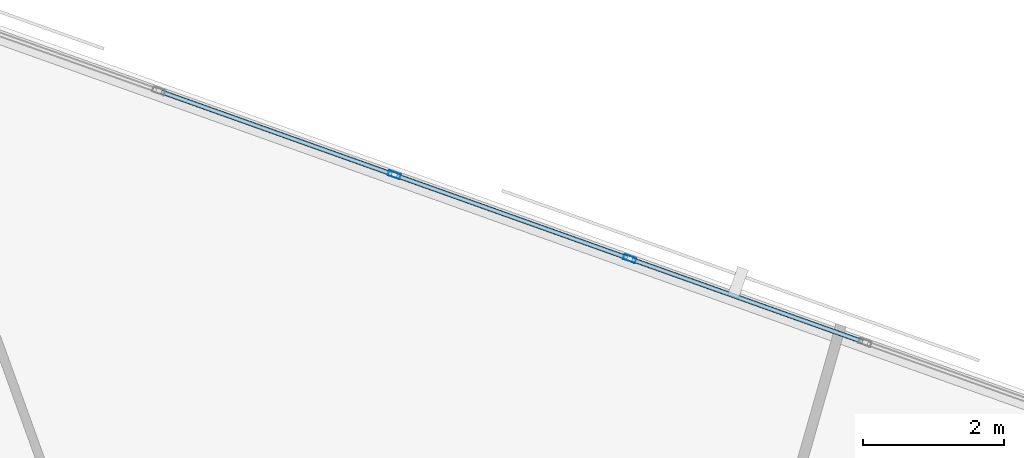
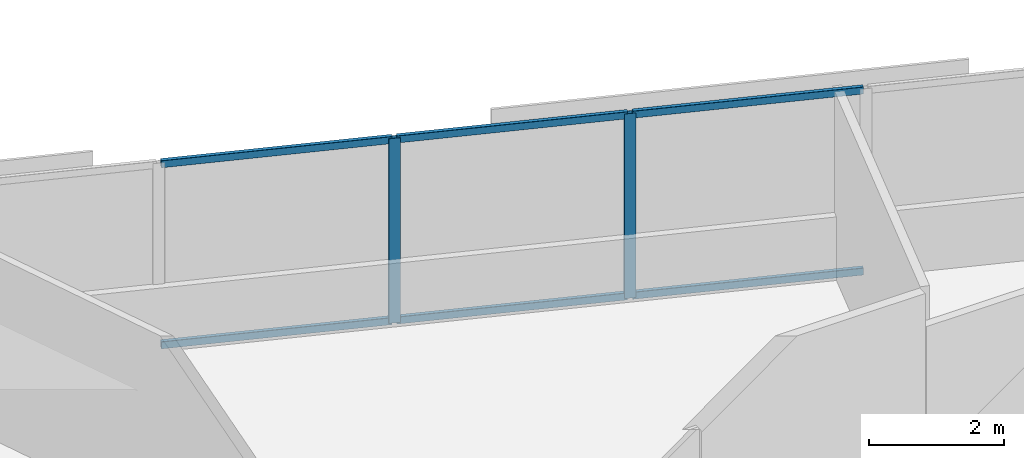
# One storey, part 8 of 15: 8 members, 1 element without a shape of its own.
"""IFC4 building model written with IfcOpenShell, lengths in metres."""

from ifc_helpers import new_model, si_unit, direction, frame, origin, origin_2d, place, context, subcontext, project, spatial, hollow_rectangle, extrude, material, material_profile, profile_set, type_object, element, aggregate, save


model = new_model("IFC4")

# Units and contexts
model_context = context("Model", 3, precision=1e-05, world=origin(), true_north=direction((0.0, 1.0)))
body_context = subcontext(model_context, "Body", "Model", "MODEL_VIEW")
ifc_project = project(units=[si_unit("LENGTHUNIT", "METRE"), si_unit("AREAUNIT", "SQUARE_METRE"), si_unit("VOLUMEUNIT", "CUBIC_METRE"), si_unit("PLANEANGLEUNIT", "RADIAN"), si_unit("MASSUNIT", "GRAM", prefix="KILO")], contexts=[model_context])

# Site, building, storey
site_placement = place(None, origin())
site = spatial("IfcSite", under=ifc_project, at=site_placement, CompositionType="ELEMENT")
building_placement = place(site_placement, origin())
building = spatial("IfcBuilding", under=site, at=building_placement, Name="Narakoshi Arena Tower", CompositionType="ELEMENT")
storey_placement = place(building_placement, frame((0.0, 0.0, 143.10009765625)))
storey = spatial("IfcBuildingStorey", under=building, at=storey_placement, Name="L38", CompositionType="ELEMENT", Elevation=143.10009765625)

# Curtain wall, members
ifc_material = material(Name="Anodised bronze aluminium 6063-T6", Category="aluminium")
curtain_wall_type = type_object("IfcCurtainWallType", Name="CW-HYP-MID", PredefinedType="NOTDEFINED", material=ifc_material)
curtain_wall_placement = place(storey_placement, origin())
curtain_wall = element("IfcCurtainWall", 1, at=curtain_wall_placement, inside=storey, type_object=curtain_wall_type, Name="L38 Folded Hypotenuse Curtain Wall 2-1", PredefinedType="NOTDEFINED")
ifc_material_profile_1 = material_profile(ifc_material, hollow_rectangle(XDim=0.074951171875, YDim=0.179931640625, WallThickness=0.00390625, OuterFilletRadius=0.0048828125, at=origin_2d()), Name="MUL180x75x4")
ifc_profile_set_1 = profile_set([ifc_material_profile_1], Name="Anodised bronze aluminium 6063-T6")
member_type_1 = type_object("IfcMemberType", Name="MEM-MUL-180", PredefinedType="MULLION", material=ifc_profile_set_1)
member_1_placement = place(storey_placement, frame((81.1259765625, 65.1083984375, 0.0), z_axis=(0.0, 0.0, 1.0), x_axis=(-0.335518297139, -0.94203368957, 0.0)))
member_1 = element("IfcMember", 2, at=member_1_placement, type_object=member_type_1, Name="CW-02 mullion 3", PredefinedType="MULLION", context=body_context, shape_type="SweptSolid", body=[
    extrude(hollow_rectangle(XDim=0.074951171875, YDim=0.179931640625, WallThickness=0.00390625, OuterFilletRadius=0.0048828125, at=origin_2d()), origin(), (0.0, 0.0, 1.0), 3.33984375),
])
member_2_placement = place(storey_placement, frame((77.781494140625, 66.2998046875, 0.0), z_axis=(0.0, 0.0, 1.0), x_axis=(-0.335518297139, -0.94203368957, 0.0)))
member_2 = element("IfcMember", 3, at=member_2_placement, type_object=member_type_1, Name="CW-02 mullion 4", PredefinedType="MULLION", context=body_context, shape_type="SweptSolid", body=[
    extrude(hollow_rectangle(XDim=0.074951171875, YDim=0.179931640625, WallThickness=0.00390625, OuterFilletRadius=0.0048828125, at=origin_2d()), origin(), (0.0, 0.0, 1.0), 3.33984375),
])
ifc_material_profile_2 = material_profile(ifc_material, hollow_rectangle(XDim=0.06494140625, YDim=0.1298828125, WallThickness=0.00390625, OuterFilletRadius=0.0048828125, at=origin_2d()), Name="TRN130x65x4")
ifc_profile_set_2 = profile_set([ifc_material_profile_2], Name="Anodised bronze aluminium 6063-T6")
member_type_2 = type_object("IfcMemberType", Name="MEM-TRN-130", PredefinedType="USERDEFINED", material=ifc_profile_set_2)
member_3_placement = place(storey_placement, frame((84.435302734375, 63.929931640625, 0.032470703125), z_axis=(-0.942037165195, 0.335508538477, 0.0), x_axis=(-0.335508538477, -0.942037165195, 0.0)))
member_3 = element("IfcMember", 4, at=member_3_placement, type_object=member_type_2, Name="CW-02 transom 2.1", ObjectType="TRANSOM", PredefinedType="USERDEFINED", context=body_context, shape_type="SweptSolid", body=[
    extrude(hollow_rectangle(XDim=0.06494140625, YDim=0.1298828125, WallThickness=0.00390625, OuterFilletRadius=0.0048828125, at=origin_2d()), origin(), (0.0, 0.0, 1.0), 3.475341796875),
])
member_4_placement = place(storey_placement, frame((84.435302734375, 63.929931640625, 3.307373046875), z_axis=(-0.942037165195, 0.335508538477, 0.0), x_axis=(-0.335508538477, -0.942037165195, 0.0)))
member_4 = element("IfcMember", 5, at=member_4_placement, type_object=member_type_2, Name="CW-02 transom 2.2", ObjectType="TRANSOM", PredefinedType="USERDEFINED", context=body_context, shape_type="SweptSolid", body=[
    extrude(hollow_rectangle(XDim=0.06494140625, YDim=0.1298828125, WallThickness=0.00390625, OuterFilletRadius=0.0048828125, at=origin_2d()), origin(), (0.0, 0.0, 1.0), 3.475341796875),
])
member_5_placement = place(storey_placement, frame((81.0908203125, 65.12109375, 0.032470703125), z_axis=(-0.942037165195, 0.335508538477, 0.0), x_axis=(-0.335508538477, -0.942037165195, 0.0)))
member_5 = element("IfcMember", 6, at=member_5_placement, type_object=member_type_2, Name="CW-02 transom 3.1", ObjectType="TRANSOM", PredefinedType="USERDEFINED", context=body_context, shape_type="SweptSolid", body=[
    extrude(hollow_rectangle(XDim=0.06494140625, YDim=0.1298828125, WallThickness=0.00390625, OuterFilletRadius=0.0048828125, at=origin_2d()), origin(), (0.0, 0.0, 1.0), 3.475341796875),
])
member_6_placement = place(storey_placement, frame((81.0908203125, 65.12109375, 3.307373046875), z_axis=(-0.942037165195, 0.335508538477, 0.0), x_axis=(-0.335508538477, -0.942037165195, 0.0)))
member_6 = element("IfcMember", 7, at=member_6_placement, type_object=member_type_2, Name="CW-02 transom 3.2", ObjectType="TRANSOM", PredefinedType="USERDEFINED", context=body_context, shape_type="SweptSolid", body=[
    extrude(hollow_rectangle(XDim=0.06494140625, YDim=0.1298828125, WallThickness=0.00390625, OuterFilletRadius=0.0048828125, at=origin_2d()), origin(), (0.0, 0.0, 1.0), 3.475341796875),
])
member_7_placement = place(storey_placement, frame((77.74609375, 66.312255859375, 0.032470703125), z_axis=(-0.942029256779, 0.335530742813, 0.0), x_axis=(-0.335530742813, -0.942029256779, 0.0)))
member_7 = element("IfcMember", 8, at=member_7_placement, type_object=member_type_2, Name="CW-02 transom 4.1", ObjectType="TRANSOM", PredefinedType="USERDEFINED", context=body_context, shape_type="SweptSolid", body=[
    extrude(hollow_rectangle(XDim=0.06494140625, YDim=0.1298828125, WallThickness=0.00390625, OuterFilletRadius=0.0048828125, at=origin_2d()), origin(), (0.0, 0.0, 1.0), 3.47509765625),
])
member_8_placement = place(storey_placement, frame((77.74609375, 66.312255859375, 3.307373046875), z_axis=(-0.942029256779, 0.335530742813, 0.0), x_axis=(-0.335530742813, -0.942029256779, 0.0)))
member_8 = element("IfcMember", 9, at=member_8_placement, type_object=member_type_2, Name="CW-02 transom 4.2", ObjectType="TRANSOM", PredefinedType="USERDEFINED", context=body_context, shape_type="SweptSolid", body=[
    extrude(hollow_rectangle(XDim=0.06494140625, YDim=0.1298828125, WallThickness=0.00390625, OuterFilletRadius=0.0048828125, at=origin_2d()), origin(), (0.0, 0.0, 1.0), 3.47509765625),
])
aggregate(curtain_wall, [member_1, member_2, member_3, member_4, member_5, member_6, member_7, member_8])

save(model, "model.ifc")
